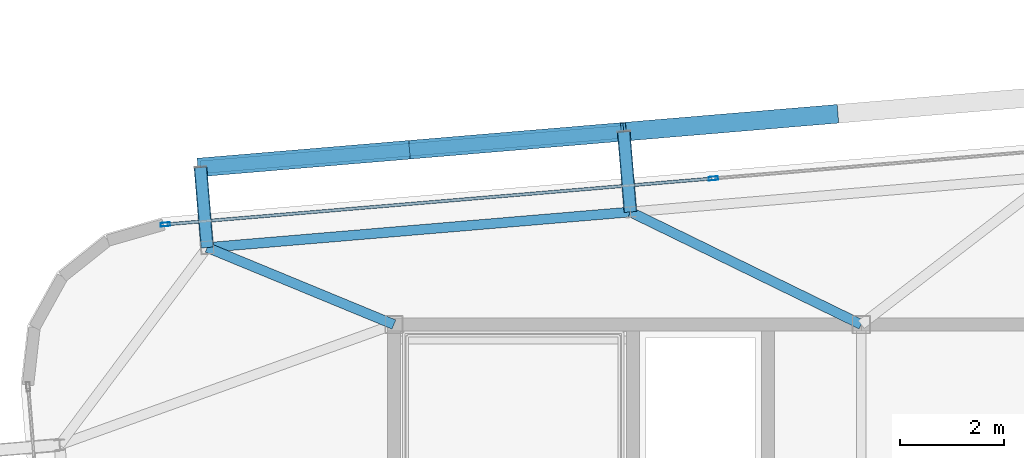
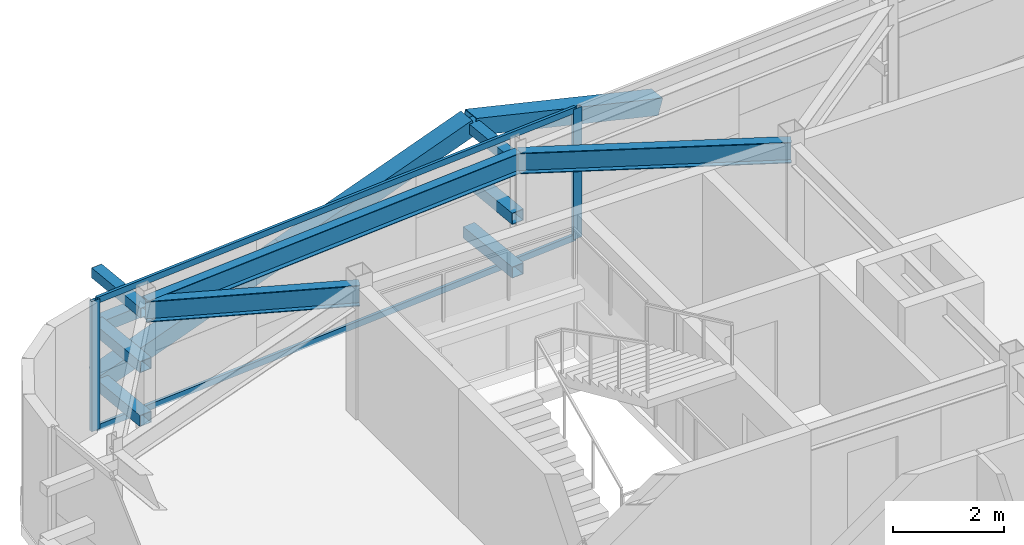
# One storey, part 21 of 39: 14 members, 3 beams, 1 element without a shape of its own.
"""IFC4 building model written with IfcOpenShell, lengths in metres."""

from ifc_helpers import new_model, si_unit, direction, frame, origin, origin_2d, place, context, subcontext, project, spatial, hollow_rectangle, i_section, extrude, source, transform, mapped, material, layer, layer_set, material_profile, profile_set, type_object, element, aggregate, save


model = new_model("IFC4")

# Units and contexts
model_context = context("Model", 3, precision=1e-05, world=origin(), true_north=direction((0.0, 1.0)))
body_context = subcontext(model_context, "Body", "Model", "MODEL_VIEW")
ifc_project = project(units=[si_unit("LENGTHUNIT", "METRE"), si_unit("AREAUNIT", "SQUARE_METRE"), si_unit("VOLUMEUNIT", "CUBIC_METRE"), si_unit("PLANEANGLEUNIT", "RADIAN"), si_unit("MASSUNIT", "GRAM", prefix="KILO")], contexts=[model_context])

# Site, building, storey
site_placement = place(None, origin())
site = spatial("IfcSite", under=ifc_project, at=site_placement, CompositionType="ELEMENT")
building_placement = place(site_placement, origin())
building = spatial("IfcBuilding", under=site, at=building_placement, Name="Taldren Reach Tower", CompositionType="ELEMENT")
storey_placement = place(building_placement, frame((0.0, 0.0, 204.050048828125)))
storey = spatial("IfcBuildingStorey", under=building, at=storey_placement, Name="L62", CompositionType="ELEMENT", Elevation=204.050048828125)

# Members
ifc_material_1 = material(Name="Steel Gr 350 (C350L0)", Category="steel")
ifc_material_profile_1 = material_profile(ifc_material_1, hollow_rectangle(XDim=0.25, YDim=0.25, WallThickness=0.010009765625, at=origin_2d()), Name="250x250x10.0SHS")
ifc_profile_set_1 = profile_set([ifc_material_profile_1], Name="Steel Gr 350 (C350L0)")
member_type_1 = type_object("IfcMemberType", Name="MB-POST250", PredefinedType="POST", material=ifc_profile_set_1)
shared_shape_1 = source(origin(), body_context, "Body", "SweptSolid", [
    extrude(hollow_rectangle(XDim=0.25, YDim=0.25, WallThickness=0.010009765625, at=origin_2d()), origin(), (0.0, 0.0, 1.0), 1.5498046875),
])
for number, where, z_axis, x_axis, name in (
    (1, (15.40380859375, 33.483642578125, 0.219970703125), (-0.083645141657, 0.996495604746, 0.0), (-0.996495604746, -0.083645141657, 0.0), "Exoskeleton base diaphragm tie strut B4-N1 L62"),
    (2, (15.40380859375, 33.483642578125, 1.405029296875), (-0.083645141657, 0.996495604746, 0.0), (-0.996495604746, -0.083645141657, 0.0), "Exoskeleton mid-tier diaphragm tie B4-N1 L62"),
):
    element("IfcMember", number, at=place(storey_placement, frame(where, z_axis=z_axis, x_axis=x_axis)), inside=storey, type_object=member_type_1, Name=name, PredefinedType="POST", context=body_context, shape_type="MappedRepresentation", body=[
        mapped(shared_shape_1, transform((0.0, 0.0, 0.0), scale=1.0)),
    ])
shared_shape_2 = source(origin(), body_context, "Body", "SweptSolid", [
    extrude(hollow_rectangle(XDim=0.25, YDim=0.25, WallThickness=0.010009765625, at=origin_2d()), origin(), (0.0, 0.0, 1.0), 1.550048828125),
])
for number, where, z_axis, x_axis, name in (
    (3, (23.55517578125, 34.16796875, 0.219970703125), (-0.083788408178, 0.996483568683, 0.0), (-0.996483568683, -0.083788408178, 0.0), "Exoskeleton base diaphragm tie strut B4-N2 L62"),
    (4, (23.55517578125, 34.16796875, 1.405029296875), (-0.083788408178, 0.996483568683, 0.0), (-0.996483568683, -0.083788408178, 0.0), "Exoskeleton mid-tier diaphragm tie B4-N2 L62"),
):
    element("IfcMember", number, at=place(storey_placement, frame(where, z_axis=z_axis, x_axis=x_axis)), inside=storey, type_object=member_type_1, Name=name, PredefinedType="POST", context=body_context, shape_type="MappedRepresentation", body=[
        mapped(shared_shape_2, transform((0.0, 0.0, 0.0), scale=1.0)),
    ])

# Beams
ifc_material_2 = material(Name="Steel Gr 350 (350PLUS)", Category="steel")
ifc_material_profile_2 = material_profile(ifc_material_2, i_section(OverallWidth=0.18994140625, OverallDepth=0.4541015625, WebThickness=0.008544921875, FlangeThickness=0.0126953125, at=origin_2d()), Name="460UB67.1")
ifc_profile_set_2 = profile_set([ifc_material_profile_2], Name="Steel Gr 350 (350PLUS)")
beam_type_1 = type_object("IfcBeamType", Name="SP-UB460B", PredefinedType="SPANDREL", material=ifc_profile_set_2)
shared_shape_3 = source(origin(), body_context, "Body", "SweptSolid", [
    extrude(i_section(OverallWidth=0.18994140625, OverallDepth=0.4541015625, WebThickness=0.008544921875, FlangeThickness=0.0126953125, at=origin_2d()), origin(), (0.0, 0.0, 1.0), 8.179931640625),
])
beam_1_placement = place(storey_placement, frame((23.55517578125, 34.16796875, 2.64306640625), z_axis=(-0.996494523218, -0.083658025296, 0.0), x_axis=(0.083658025296, -0.996494523218, 0.0)))
element("IfcBeam", 5, at=beam_1_placement, inside=storey, type_object=beam_type_1, Name="Perimeter spandrel B4 N2-N1 L62", PredefinedType="SPANDREL", context=body_context, shape_type="MappedRepresentation", body=[
    mapped(shared_shape_3, transform((0.0, 0.0, 0.0), scale=1.0)),
])
ifc_material_profile_3 = material_profile(ifc_material_2, i_section(OverallWidth=0.19091796875, OverallDepth=0.4599609375, WebThickness=0.010009765625, FlangeThickness=0.01611328125, at=origin_2d()), Name="460UB82.1")
ifc_profile_set_3 = profile_set([ifc_material_profile_3], Name="Steel Gr 350 (350PLUS)")
beam_type_2 = type_object("IfcBeamType", Name="BM-UB460A", PredefinedType="BEAM", material=ifc_profile_set_3)
shared_shape_4 = source(origin(), body_context, "Body", "SweptSolid", [
    extrude(i_section(OverallWidth=0.19091796875, OverallDepth=0.4599609375, WebThickness=0.010009765625, FlangeThickness=0.01611328125, at=origin_2d()), origin(), (0.0, 0.0, 1.0), 4.9453125),
])
beam_2_placement = place(storey_placement, frame((28.0, 32.0, 2.639892578125), z_axis=(-0.898787423235, 0.438384725823, 0.0), x_axis=(-0.438384725823, -0.898787423235, 0.0)))
element("IfcBeam", 6, at=beam_2_placement, inside=storey, type_object=beam_type_2, Name="Primary floor girder B4-N2 L62", PredefinedType="BEAM", context=body_context, shape_type="MappedRepresentation", body=[
    mapped(shared_shape_4, transform((0.0, 0.0, 0.0), scale=1.0)),
])
shared_shape_5 = source(origin(), body_context, "Body", "SweptSolid", [
    extrude(i_section(OverallWidth=0.19091796875, OverallDepth=0.4599609375, WebThickness=0.010009765625, FlangeThickness=0.01611328125, at=origin_2d()), origin(), (0.0, 0.0, 1.0), 3.89013671875),
])
beam_3_placement = place(storey_placement, frame((19.0, 32.0, 2.639892578125), z_axis=(-0.924419242179, 0.381377850287, 0.0), x_axis=(-0.381377850287, -0.924419242179, 0.0)))
element("IfcBeam", 7, at=beam_3_placement, inside=storey, type_object=beam_type_2, Name="Primary floor girder B4-N1 L62", PredefinedType="BEAM", context=body_context, shape_type="MappedRepresentation", body=[
    mapped(shared_shape_5, transform((0.0, 0.0, 0.0), scale=1.0)),
])

# Members
ifc_material_3 = material(Name="Steel Gr 450 (C450L0)", Category="steel")
ifc_material_profile_4 = material_profile(ifc_material_3, hollow_rectangle(XDim=0.219970703125, YDim=0.219970703125, WallThickness=0.00830078125, at=origin_2d()), Name="220x220x8.2SHS")
ifc_profile_set_4 = profile_set([ifc_material_profile_4], Name="Steel Gr 450 (C450L0)")
member_type_2 = type_object("IfcMemberType", Name="MB-TIE219", PredefinedType="STRUT", material=ifc_profile_set_4)
shared_shape_6 = source(origin(), body_context, "Body", "SweptSolid", [
    extrude(hollow_rectangle(XDim=0.219970703125, YDim=0.219970703125, WallThickness=0.00830078125, at=origin_2d()), origin(), (0.0, 0.0, 1.0), 1.5498046875),
])
member_1_placement = place(storey_placement, frame((15.40380859375, 33.483642578125, 2.58984375), z_axis=(-0.083645141657, 0.996495604746, 0.0), x_axis=(-0.996495604746, -0.083645141657, 0.0)))
element("IfcMember", 8, at=member_1_placement, inside=storey, type_object=member_type_2, Name="Exoskeleton diaphragm tie strut B4-N1 L62", PredefinedType="STRUT", context=body_context, shape_type="MappedRepresentation", body=[
    mapped(shared_shape_6, transform((0.0, 0.0, 0.0), scale=1.0)),
])
shared_shape_7 = source(origin(), body_context, "Body", "SweptSolid", [
    extrude(hollow_rectangle(XDim=0.219970703125, YDim=0.219970703125, WallThickness=0.00830078125, at=origin_2d()), origin(), (0.0, 0.0, 1.0), 1.550048828125),
])
member_2_placement = place(storey_placement, frame((23.55517578125, 34.16796875, 2.58984375), z_axis=(-0.083788408178, 0.996483568683, 0.0), x_axis=(-0.996483568683, -0.083788408178, 0.0)))
element("IfcMember", 9, at=member_2_placement, inside=storey, type_object=member_type_2, Name="Exoskeleton diaphragm tie strut B4-N2 L62", PredefinedType="STRUT", context=body_context, shape_type="MappedRepresentation", body=[
    mapped(shared_shape_7, transform((0.0, 0.0, 0.0), scale=1.0)),
])
shared_shape_8 = source(origin(), body_context, "Body", "SweptSolid", [
    extrude(hollow_rectangle(XDim=0.25, YDim=0.25, WallThickness=0.010009765625, at=origin_2d()), origin(), (0.0, 0.0, 1.0), 8.179931640625),
])
member_3_placement = place(storey_placement, frame((15.274169921875, 35.028076171875, 1.405029296875), z_axis=(0.99649182565, 0.08369015123, 0.0), x_axis=(-0.08369015123, 0.99649182565, 0.0)))
element("IfcMember", 10, at=member_3_placement, inside=storey, type_object=member_type_1, Name="Exoskeleton mid-height ring chord B4-N1 L62", PredefinedType="POST", context=body_context, shape_type="MappedRepresentation", body=[
    mapped(shared_shape_8, transform((0.0, 0.0, 0.0), scale=1.0)),
])
ifc_material_profile_5 = material_profile(ifc_material_3, hollow_rectangle(XDim=0.360107421875, YDim=0.360107421875, WallThickness=0.0126953125, at=origin_2d()), Name="360x360x12.7SHS")
ifc_profile_set_5 = profile_set([ifc_material_profile_5], Name="Steel Gr 450 (C450L0)")
member_type_3 = type_object("IfcMemberType", Name="MB-EXO356", PredefinedType="BRACE", material=ifc_profile_set_5)
shared_shape_9 = source(origin(), body_context, "Body", "SweptSolid", [
    extrude(hollow_rectangle(XDim=0.360107421875, YDim=0.360107421875, WallThickness=0.0126953125, at=origin_2d()), origin(), (0.0, 0.0, 1.0), 4.25830078125),
])
for number, where, z_axis, x_axis, name in (
    (11, (15.274169921875, 35.028076171875, 0.219970703125), (0.957125719227, 0.080381589694, 0.278296887572), (-0.083687662192, 0.996492034688, 0.0), "Exoskeleton Diagrid Brace B4-N1 L62"),
    (12, (27.5009765625, 36.054931640625, 1.405029296875), (-0.957140989668, -0.080382872141, 0.278243993223), (0.083687662192, -0.996492034688, 0.0), "Exoskeleton Diagrid Brace B4-N2 L62"),
):
    element("IfcMember", number, at=place(storey_placement, frame(where, z_axis=z_axis, x_axis=x_axis)), inside=storey, type_object=member_type_3, Name=name, PredefinedType="BRACE", context=body_context, shape_type="MappedRepresentation", body=[
        mapped(shared_shape_9, transform((0.0, 0.0, 0.0), scale=1.0)),
    ])
shared_shape_10 = source(origin(), body_context, "Body", "SweptSolid", [
    extrude(hollow_rectangle(XDim=0.360107421875, YDim=0.360107421875, WallThickness=0.0126953125, at=origin_2d()), origin(), (0.0, 0.0, 1.0), 4.258056640625),
])
member_4_placement = place(storey_placement, frame((19.349853515625, 35.370361328125, 1.405029296875), z_axis=(0.957136179995, 0.080387283553, 0.278259263255), x_axis=(-0.083692640416, 0.996491616593, 0.0)))
element("IfcMember", 13, at=member_4_placement, inside=storey, type_object=member_type_3, Name="Exoskeleton Diagrid Brace B4-N1 L62", PredefinedType="BRACE", context=body_context, shape_type="MappedRepresentation", body=[
    mapped(shared_shape_10, transform((0.0, 0.0, 0.0), scale=1.0)),
])

# Curtain wall, members
ifc_material_4 = material(Name="Aluminium and Low-E Glass Unitised System", Category="aluminium")
ifc_layer = layer(ifc_material_4, 0.159912109375)
ifc_layer_set = layer_set([ifc_layer], Name="Aluminium and Low-E Glass Unitised System")
curtain_wall_type = type_object("IfcCurtainWallType", Name="CW-SYS-5", PredefinedType="NOTDEFINED", material=ifc_layer_set)
curtain_wall_placement = place(storey_placement, origin())
curtain_wall = element("IfcCurtainWall", 14, at=curtain_wall_placement, inside=storey, type_object=curtain_wall_type, Name="Unitised curtain wall CW-L62-N", PredefinedType="NOTDEFINED")
ifc_material_5 = material(Name="Anodised Aluminium 6063-T6", Category="aluminium")
ifc_material_profile_6 = material_profile(ifc_material_5, hollow_rectangle(XDim=0.070068359375, YDim=0.179931640625, WallThickness=0.00390625, at=origin_2d()), Name="ALU-180x70x4RHS")
ifc_profile_set_6 = profile_set([ifc_material_profile_6], Name="Anodised Aluminium 6063-T6")
member_type_4 = type_object("IfcMemberType", Name="CW-MUL-180", PredefinedType="MULLION", material=ifc_profile_set_6)
shared_shape_11 = source(origin(), body_context, "Body", "SweptSolid", [
    extrude(hollow_rectangle(XDim=0.070068359375, YDim=0.179931640625, WallThickness=0.00390625, at=origin_2d()), origin(), (0.0, 0.0, 1.0), 2.869873046875),
])
member_5_placement = place(storey_placement, frame((25.151611328125, 34.81396484375, 0.0), z_axis=(0.0, 0.0, 1.0), x_axis=(0.083677875247, -0.99649285657, 0.0)))
member_5 = element("IfcMember", 15, at=member_5_placement, type_object=member_type_4, Name="CW-5 mullion 4", PredefinedType="MULLION", context=body_context, shape_type="MappedRepresentation", body=[
    mapped(shared_shape_11, transform((0.0, 0.0, 0.0), scale=1.0)),
])
member_6_placement = place(storey_placement, frame((14.598876953125, 33.927734375, 0.0), z_axis=(0.0, 0.0, 1.0), x_axis=(0.083677875247, -0.99649285657, 0.0)))
member_6 = element("IfcMember", 16, at=member_6_placement, type_object=member_type_4, Name="CW-5 mullion 5", PredefinedType="MULLION", context=body_context, shape_type="MappedRepresentation", body=[
    mapped(shared_shape_11, transform((0.0, 0.0, 0.0), scale=1.0)),
])
ifc_material_profile_7 = material_profile(ifc_material_5, hollow_rectangle(XDim=0.06005859375, YDim=0.135009765625, WallThickness=0.00341796875, at=origin_2d()), Name="ALU-135x60x3.5RHS")
ifc_profile_set_7 = profile_set([ifc_material_profile_7], Name="Anodised Aluminium 6063-T6")
member_type_5 = type_object("IfcMemberType", Name="CW-TRN-150", PredefinedType="USERDEFINED", material=ifc_profile_set_7)
shared_shape_12 = source(origin(), body_context, "Body", "SweptSolid", [
    extrude(hollow_rectangle(XDim=0.06005859375, YDim=0.135009765625, WallThickness=0.00341796875, at=origin_2d()), origin(), (0.0, 0.0, 1.0), 10.519775390625),
])
member_7_placement = place(storey_placement, frame((25.11669921875, 34.81103515625, 0.030029296875), z_axis=(-0.996492094046, -0.083686955404, 0.0), x_axis=(0.083686955404, -0.996492094046, 0.0)))
member_7 = element("IfcMember", 17, at=member_7_placement, type_object=member_type_5, Name="CW-5 transom 4.1", ObjectType="TRANSOM", PredefinedType="USERDEFINED", context=body_context, shape_type="MappedRepresentation", body=[
    mapped(shared_shape_12, transform((0.0, 0.0, 0.0), scale=1.0)),
])
member_8_placement = place(storey_placement, frame((25.11669921875, 34.81103515625, 2.83984375), z_axis=(-0.996492094046, -0.083686955404, 0.0), x_axis=(0.083686955404, -0.996492094046, 0.0)))
member_8 = element("IfcMember", 18, at=member_8_placement, type_object=member_type_5, Name="CW-5 transom 4.2", ObjectType="TRANSOM", PredefinedType="USERDEFINED", context=body_context, shape_type="MappedRepresentation", body=[
    mapped(shared_shape_12, transform((0.0, 0.0, 0.0), scale=1.0)),
])
aggregate(curtain_wall, [member_5, member_6, member_7, member_8])

save(model, "model.ifc")
